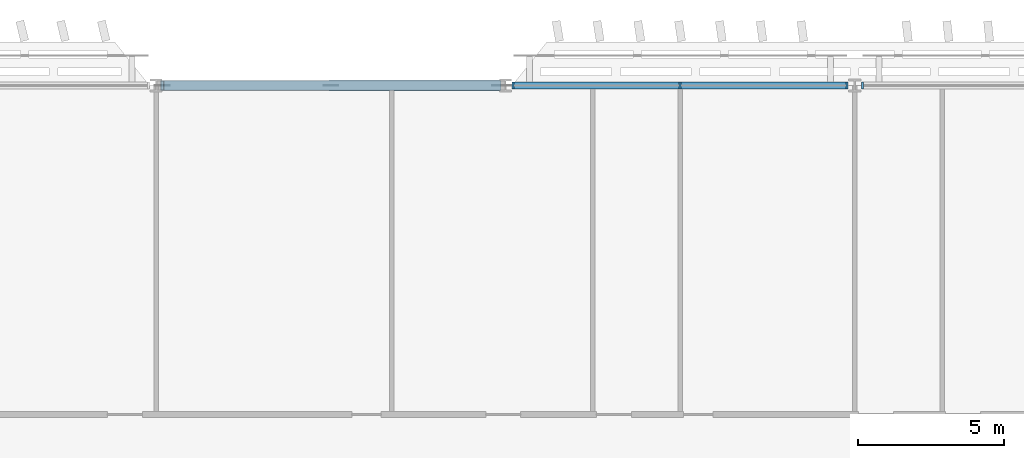
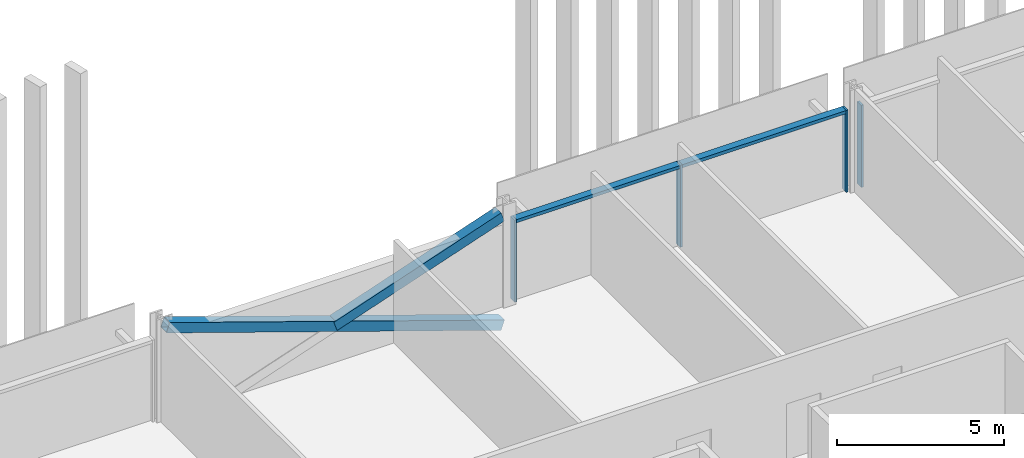
# One storey, part 6 of 31: 8 members, 2 elements without a shape of their own.
"""IFC4 building model written with IfcOpenShell, lengths in metres."""

from ifc_helpers import new_model, si_unit, direction, frame, origin, origin_2d, place, context, subcontext, project, spatial, rectangle, hollow_rectangle, extrude, material, material_profile, profile_set, type_object, element, aggregate, save


model = new_model("IFC4")

# Units and contexts
model_context = context("Model", 3, precision=1e-05, world=origin(), true_north=direction((0.0, 1.0)))
body_context = subcontext(model_context, "Body", "Model", "MODEL_VIEW")
ifc_project = project(units=[si_unit("LENGTHUNIT", "METRE"), si_unit("AREAUNIT", "SQUARE_METRE"), si_unit("VOLUMEUNIT", "CUBIC_METRE"), si_unit("PLANEANGLEUNIT", "RADIAN"), si_unit("MASSUNIT", "GRAM", prefix="KILO")], contexts=[model_context])

# Site, building, storey
site_placement = place(None, origin())
site = spatial("IfcSite", under=ifc_project, at=site_placement, CompositionType="ELEMENT")
building_placement = place(site_placement, origin())
building = spatial("IfcBuilding", under=site, at=building_placement, Name="Mahtab Terrace Research Tower", CompositionType="ELEMENT")
storey_placement = place(building_placement, frame((0.0, 0.0, 84.800048828125)))
storey = spatial("IfcBuildingStorey", under=building, at=storey_placement, Name="L19", CompositionType="ELEMENT", Elevation=84.800048828125)

# Members
ifc_material_1 = material(Name="Steel ASTM A500 Gr C", Category="steel")
ifc_material_profile_1 = material_profile(ifc_material_1, hollow_rectangle(XDim=0.355712890625, YDim=0.355712890625, WallThickness=0.01904296875, at=origin_2d()), Name="HSS14X14X3/4")
ifc_profile_set_1 = profile_set([ifc_material_profile_1], Name="Steel ASTM A500 Gr C")
member_type_1 = type_object("IfcMemberType", Name="HSS 14x14x3/4 brace XB141434", PredefinedType="BRACE", material=ifc_profile_set_1)
member_1_placement = place(storey_placement, frame((5.79052734375, 29.0, -0.64697265625), z_axis=(-0.946292853795, 0.0, 0.323310740397), x_axis=(0.0, -1.0, 0.0)))
element("IfcMember", 1, at=member_1_placement, inside=storey, type_object=member_type_1, Name="Exoskeleton brace L19 05 a", PredefinedType="BRACE", context=body_context, shape_type="SweptSolid", body=[
    extrude(hollow_rectangle(XDim=0.355712890625, YDim=0.355712890625, WallThickness=0.01904296875, at=origin_2d()), origin(), (0.0, 0.0, 1.0), 12.23828125),
])
member_2_placement = place(storey_placement, frame((0.0, 29.0, 1.33154296875), z_axis=(0.946298956945, 0.0, 0.323292876639), x_axis=(0.0, 1.0, 0.0)))
element("IfcMember", 2, at=member_2_placement, inside=storey, type_object=member_type_1, Name="Exoskeleton brace L19 05 b2", PredefinedType="BRACE", context=body_context, shape_type="SweptSolid", body=[
    extrude(hollow_rectangle(XDim=0.355712890625, YDim=0.355712890625, WallThickness=0.01904296875, at=origin_2d()), origin(), (0.0, 0.0, 1.0), 6.119140625),
])

# Curtain wall, member
ifc_material_2 = material(Name="Sky lounge full-height curtain wall")
curtain_wall_type = type_object("IfcCurtainWallType", Name="Sky lounge full-height curtain wall", PredefinedType="NOTDEFINED", material=ifc_material_2)
curtain_wall_1_placement = place(storey_placement, origin())
curtain_wall_1 = element("IfcCurtainWall", 3, at=curtain_wall_1_placement, inside=storey, type_object=curtain_wall_type, Name="EN.L19.3.5", PredefinedType="NOTDEFINED")
ifc_material_3 = material(Name="Natural anodised aluminium", Category="aluminium")
ifc_material_profile_2 = material_profile(ifc_material_3, rectangle(XDim=0.25, YDim=0.070068359375, at=origin_2d()), Name="MULLION 70x250")
ifc_profile_set_2 = profile_set([ifc_material_profile_2], Name="Natural anodised aluminium")
member_type_2 = type_object("IfcMemberType", Name="Sky lounge full-height curtain wall mullion", PredefinedType="MULLION", material=ifc_profile_set_2)
member_3_placement = place(storey_placement, frame((18.262939453125, 29.0, 0.0), z_axis=(0.0, 0.0, 1.0), x_axis=(0.0, -1.0, 0.0)))
member_3 = element("IfcMember", 4, at=member_3_placement, type_object=member_type_2, Name="CWS-3 mullion 3", PredefinedType="MULLION", context=body_context, shape_type="SweptSolid", body=[
    extrude(rectangle(XDim=0.25, YDim=0.070068359375, at=origin_2d()), origin(), (0.0, 0.0, 1.0), 3.0029296875),
])
aggregate(curtain_wall_1, [member_3])

# Curtain wall, members
curtain_wall_2_placement = place(storey_placement, origin())
curtain_wall_2 = element("IfcCurtainWall", 5, at=curtain_wall_2_placement, inside=storey, type_object=curtain_wall_type, Name="EN.L19.3.6", PredefinedType="NOTDEFINED")
member_4_placement = place(storey_placement, frame((17.737060546875, 29.0, 0.0), z_axis=(0.0, 0.0, 1.0), x_axis=(0.0, -1.0, 0.0)))
member_4 = element("IfcMember", 6, at=member_4_placement, type_object=member_type_2, Name="CWS-3 mullion 1", PredefinedType="MULLION", context=body_context, shape_type="SweptSolid", body=[
    extrude(rectangle(XDim=0.25, YDim=0.070068359375, at=origin_2d()), origin(), (0.0, 0.0, 1.0), 3.0029296875),
])
member_5_placement = place(storey_placement, frame((12.0, 29.0, 0.0), z_axis=(0.0, 0.0, 1.0), x_axis=(0.0, -1.0, 0.0)))
member_5 = element("IfcMember", 7, at=member_5_placement, type_object=member_type_2, Name="CWS-3 mullion 2", PredefinedType="MULLION", context=body_context, shape_type="SweptSolid", body=[
    extrude(rectangle(XDim=0.25, YDim=0.070068359375, at=origin_2d()), origin(), (0.0, 0.0, 1.0), 3.0029296875),
])
member_6_placement = place(storey_placement, frame((6.262939453125, 29.0, 0.0), z_axis=(0.0, 0.0, 1.0), x_axis=(0.0, -1.0, 0.0)))
member_6 = element("IfcMember", 8, at=member_6_placement, type_object=member_type_2, Name="CWS-3 mullion 3", PredefinedType="MULLION", context=body_context, shape_type="SweptSolid", body=[
    extrude(rectangle(XDim=0.25, YDim=0.070068359375, at=origin_2d()), origin(), (0.0, 0.0, 1.0), 3.0029296875),
])
ifc_material_profile_3 = material_profile(ifc_material_3, rectangle(XDim=0.25, YDim=0.1201171875, at=origin_2d()), Name="TRANSOM 120x250")
ifc_profile_set_3 = profile_set([ifc_material_profile_3], Name="Natural anodised aluminium")
member_type_3 = type_object("IfcMemberType", Name="Sky lounge full-height curtain wall transom", PredefinedType="USERDEFINED", material=ifc_profile_set_3)
member_7_placement = place(storey_placement, frame((17.701904296875, 29.0, 2.943115234375), z_axis=(-1.0, 0.0, 0.0), x_axis=(0.0, -1.0, 0.0)))
member_7 = element("IfcMember", 9, at=member_7_placement, type_object=member_type_3, Name="CWS-3 transom 1", ObjectType="TRANSOM", PredefinedType="USERDEFINED", context=body_context, shape_type="SweptSolid", body=[
    extrude(rectangle(XDim=0.25, YDim=0.1201171875, at=origin_2d()), origin(), (0.0, 0.0, 1.0), 5.6669921875),
])
member_8_placement = place(storey_placement, frame((11.965087890625, 29.0, 2.943115234375), z_axis=(-1.0, 0.0, 0.0), x_axis=(0.0, -1.0, 0.0)))
member_8 = element("IfcMember", 10, at=member_8_placement, type_object=member_type_3, Name="CWS-3 transom 2", ObjectType="TRANSOM", PredefinedType="USERDEFINED", context=body_context, shape_type="SweptSolid", body=[
    extrude(rectangle(XDim=0.25, YDim=0.1201171875, at=origin_2d()), origin(), (0.0, 0.0, 1.0), 5.6669921875),
])
aggregate(curtain_wall_2, [member_4, member_5, member_6, member_7, member_8])

save(model, "model.ifc")
